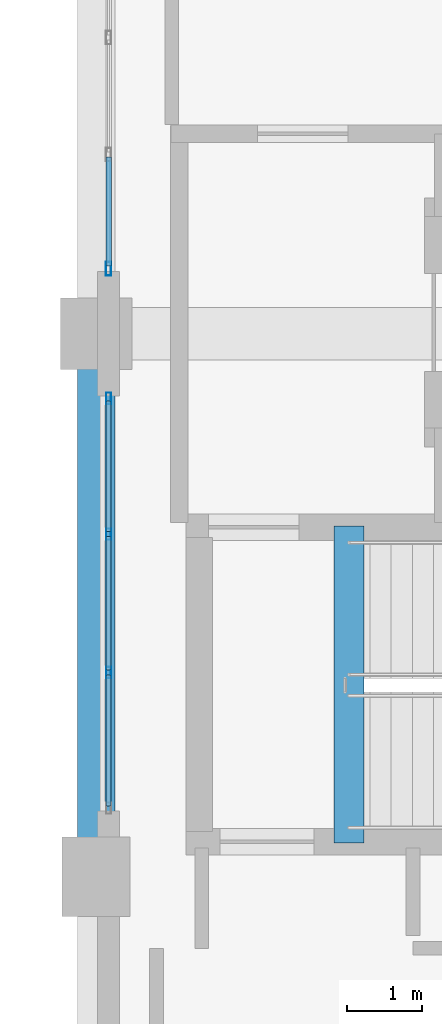
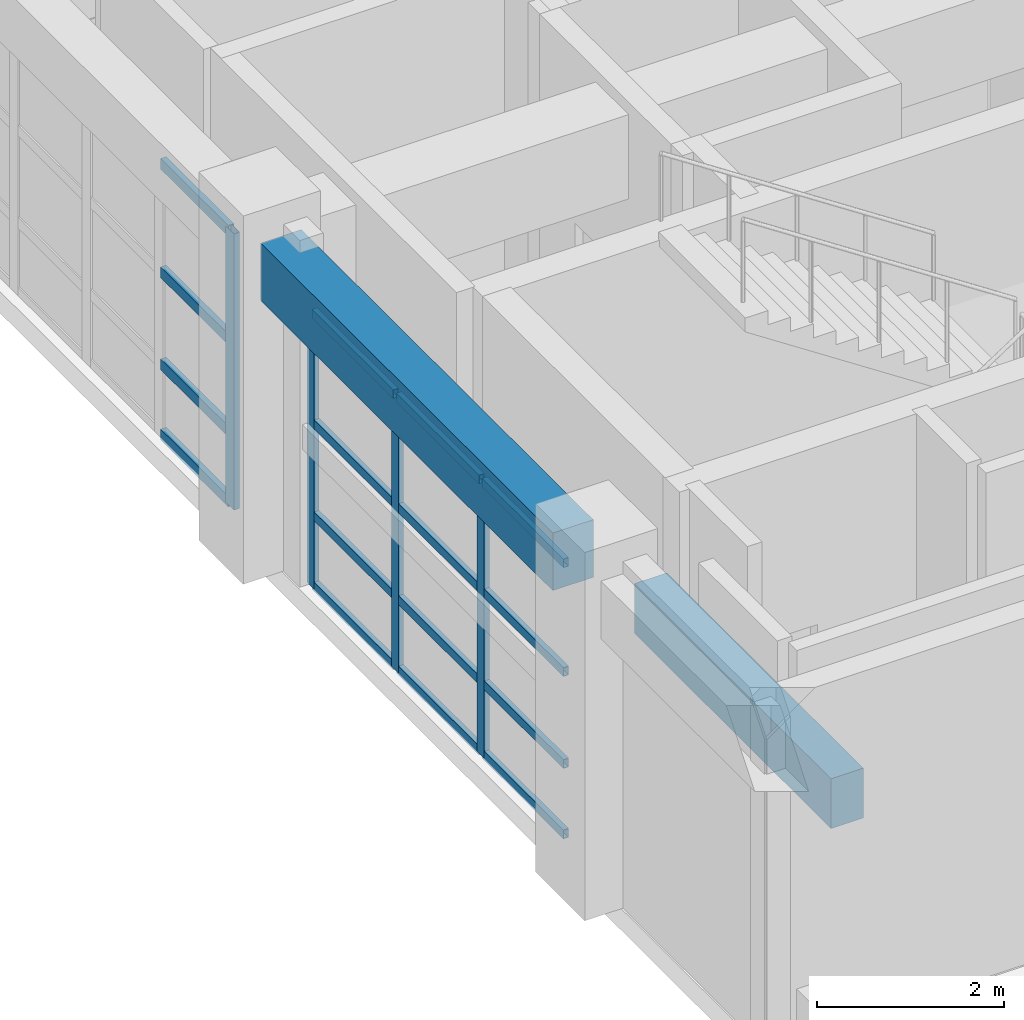
# One storey, part 43 of 123: 20 members, 2 beams, 2 elements without a shape of their own.
"""IFC4 building model written with IfcOpenShell, lengths in metres."""

import ifcopenshell
import ifcopenshell.guid

model = None  # the IFC model being written
_history = None  # IfcOwnerHistory: only IFC2X3 demands one
_inside = {}  # id of a spatial element -> (the spatial element, [elements in it])
_under = {}  # id of a project, library or spatial element -> (it, [spatial elements below it])
_declared = {}  # id of a project -> (the project, [libraries it declares])
_typed = {}  # id of a type object -> (the type object, [elements of that type])
_made_of = {}  # id of a material, layer set ... -> (it, [elements and type objects made of it])


def new_model(schema):
    """Start an empty IFC model of exactly this schema.

    Asked for "IFC4X3", IfcOpenShell would pick the latest addendum, in which some entities
    have other attributes; the version numbers below select the first issue.
    IFC2X3 requires an IfcOwnerHistory on every rooted entity: one is made here for all.
    """
    global model, _history
    if schema == "IFC4X3":
        model = ifcopenshell.file(schema_version=(4, 3, 0, 0))
    else:
        model = ifcopenshell.file(schema=schema)
    _inside.clear()
    _under.clear()
    _declared.clear()
    _typed.clear()
    _made_of.clear()
    _history = None
    if model.schema == "IFC2X3":
        org = make("IfcOrganization", Name="unknown")
        user = make(
            "IfcPersonAndOrganization",
            ThePerson=make("IfcPerson", FamilyName="unknown"),
            TheOrganization=org,
        )
        app = make(
            "IfcApplication",
            ApplicationDeveloper=org,
            Version="unknown",
            ApplicationFullName="unknown",
            ApplicationIdentifier="unknown",
        )
        _history = make(
            "IfcOwnerHistory",
            OwningUser=user,
            OwningApplication=app,
            ChangeAction="ADDED",
            CreationDate=0,
        )
    return model


def make(cls, **values):
    """One entity of the class cls with the attributes given. An attribute that is None is left unset."""
    return model.create_entity(
        cls, **{name: value for name, value in values.items() if value is not None}
    )


def rooted(cls, **values):
    """An entity with a GlobalId (a new one), such as an element, a storey or a relation."""
    return make(cls, GlobalId=ifcopenshell.guid.new(), OwnerHistory=_history, **values)


def si_unit(unit_type, name, prefix=None):
    """IfcSIUnit, for example si_unit("LENGTHUNIT", "METRE", prefix="MILLI")."""
    return make("IfcSIUnit", UnitType=unit_type, Prefix=prefix, Name=name)


def assignment(units):
    """IfcUnitAssignment: the units of a project."""
    return None if units is None else make("IfcUnitAssignment", Units=units)


def point(xyz):
    """IfcCartesianPoint."""
    return None if xyz is None else make("IfcCartesianPoint", Coordinates=xyz)


def direction(xyz):
    """IfcDirection."""
    return None if xyz is None else make("IfcDirection", DirectionRatios=xyz)


def frame(location, z_axis=None, x_axis=None):
    """IfcAxis2Placement3D, a coordinate frame: its origin and axes. An axis left out is left unset."""
    return make(
        "IfcAxis2Placement3D",
        Location=point(location),
        Axis=direction(z_axis),
        RefDirection=direction(x_axis),
    )


def frame_2d(location, x_axis=None):
    """IfcAxis2Placement2D, a coordinate frame in the plane: its origin and x axis."""
    return make(
        "IfcAxis2Placement2D", Location=point(location), RefDirection=direction(x_axis)
    )


def origin():
    """The frame at (0, 0, 0) with its axes left unset."""
    return frame((0.0, 0.0, 0.0))


def origin_2d():
    """The frame at (0, 0) in the plane with its x axis left unset."""
    return frame_2d((0.0, 0.0))


def place(relative_to, where):
    """IfcLocalPlacement: puts the frame where relative to a parent placement (None: the world)."""
    return make(
        "IfcLocalPlacement", PlacementRelTo=relative_to, RelativePlacement=where
    )


def context(
    kind, dimensions, precision=None, world=None, true_north=None, identifier=None
):
    """IfcGeometricRepresentationContext, for example the 3D "Model" context."""
    return make(
        "IfcGeometricRepresentationContext",
        ContextIdentifier=identifier,
        ContextType=kind,
        CoordinateSpaceDimension=dimensions,
        Precision=precision,
        WorldCoordinateSystem=world,
        TrueNorth=true_north,
    )


def subcontext(parent, identifier, kind, view, scale=None):
    """IfcGeometricRepresentationSubContext, for example "Body" below "Model"."""
    return make(
        "IfcGeometricRepresentationSubContext",
        ContextIdentifier=identifier,
        ContextType=kind,
        ParentContext=parent,
        TargetScale=scale,
        TargetView=view,
    )


def project(units=None, contexts=None):
    """IfcProject with its units and contexts."""
    return rooted(
        "IfcProject",
        Name="project",
        RepresentationContexts=contexts,
        UnitsInContext=assignment(units),
    )


def spatial(cls, under=None, at=None, **own):
    """A site, building, storey or space (cls), placed at a placement, below another one or the project."""
    s = rooted(cls, ObjectPlacement=at, **own)
    if under is not None:
        _under.setdefault(under.id(), (under, []))[1].append(s)
    return s


def profile(cls, at=None, kind="AREA", **sizes):
    """A parametric profile (cls). Its sizes go by their IFC names, for example OverallWidth=200.0."""
    return make(cls, ProfileType=kind, Position=at, **sizes)


def rectangle(**sizes):
    """IfcRectangleProfileDef."""
    return profile("IfcRectangleProfileDef", **sizes)


def hollow_rectangle(**sizes):
    """IfcRectangleHollowProfileDef."""
    return profile("IfcRectangleHollowProfileDef", **sizes)


def extrude(swept, where, along, depth):
    """IfcExtrudedAreaSolid: the profile swept, set in the frame where, extruded along a direction by depth."""
    return make(
        "IfcExtrudedAreaSolid",
        SweptArea=swept,
        Position=where,
        ExtrudedDirection=direction(along),
        Depth=depth,
    )


def shape(context_of_items, identifier, shape_type, items):
    """IfcShapeRepresentation: the items that make up one representation, for example the "Body"."""
    return make(
        "IfcShapeRepresentation",
        ContextOfItems=context_of_items,
        RepresentationIdentifier=identifier,
        RepresentationType=shape_type,
        Items=items,
    )


def material(Name=None, Category=None):
    """IfcMaterial."""
    return make("IfcMaterial", Name=Name, Category=Category)


def layer(
    of_material, thickness, ventilated=None, Name=None, Category=None, Priority=None
):
    """IfcMaterialLayer: one layer of a wall or slab, of a material (None: an air gap)."""
    return make(
        "IfcMaterialLayer",
        Material=of_material,
        LayerThickness=thickness,
        IsVentilated=ventilated,
        Name=Name,
        Category=Category,
        Priority=Priority,
    )


def layer_set(layers, Name=None):
    """IfcMaterialLayerSet."""
    return make("IfcMaterialLayerSet", MaterialLayers=layers, LayerSetName=Name)


def material_profile(
    of_material, cross_section, Name=None, Category=None, Priority=None
):
    """IfcMaterialProfile: a cross section and its material."""
    return make(
        "IfcMaterialProfile",
        Name=Name,
        Material=of_material,
        Profile=cross_section,
        Priority=Priority,
        Category=Category,
    )


def profile_set(profiles, Name=None, composite=None):
    """IfcMaterialProfileSet."""
    return make(
        "IfcMaterialProfileSet",
        Name=Name,
        MaterialProfiles=profiles,
        CompositeProfile=composite,
    )


def made_of(thing, what):
    """Note that an element or type object is made of a material, layer set ...; save() writes the relation."""
    if what is not None:
        _made_of.setdefault(what.id(), (what, []))[1].append(thing)
    return thing


def type_object(cls, material=None, **own):
    """A type object (cls), such as IfcWallType, which elements share."""
    return made_of(rooted(cls, **own), material)


def element(
    cls,
    number,
    at=None,
    inside=None,
    cuts=None,
    type_object=None,
    material=None,
    context=None,
    identifier="Body",
    shape_type=None,
    held_by="IfcProductDefinitionShape",
    body=None,
    shapes=None,
    **own,
):
    """One element of the class cls, such as IfcWall. Its Tag is "e" and its number.

    at: its placement. inside: the storey or other place that contains it. cuts: it is an
    opening in that element (IfcRelVoidsElement). A single representation is given by context,
    identifier, shape_type and body (its items); several are given by shapes. held_by: the class
    of the entity that holds the representations. save() writes the other relations.
    """
    e = rooted(cls, Tag="e%d" % number, ObjectPlacement=at, **own)
    if body is not None:
        shapes = [shape(context, identifier, shape_type, body)]
    if shapes is not None:
        e.Representation = make(held_by, Representations=shapes)
    if inside is not None:
        _inside.setdefault(inside.id(), (inside, []))[1].append(e)
    if cuts is not None:
        rooted(
            "IfcRelVoidsElement", RelatingBuildingElement=cuts, RelatedOpeningElement=e
        )
    if type_object is not None:
        _typed.setdefault(type_object.id(), (type_object, []))[1].append(e)
    return made_of(e, material)


def aggregate(whole, parts):
    """IfcRelAggregates: a whole, such as a stair, and the parts it consists of."""
    return rooted("IfcRelAggregates", RelatingObject=whole, RelatedObjects=parts)


def save(model, path):
    """Write the relations noted so far, then the file.

    IfcRelAggregates (storeys below a building ...), IfcRelContainedInSpatialStructure (elements
    in a storey), IfcRelDefinesByType, IfcRelAssociatesMaterial and IfcRelDeclares: one each for
    every whole, place, type object, material and project.
    """
    for whole, parts in _under.values():
        aggregate(whole, parts)
    for where, things in _inside.values():
        rooted(
            "IfcRelContainedInSpatialStructure",
            RelatedElements=things,
            RelatingStructure=where,
        )
    for kind, things in _typed.values():
        rooted("IfcRelDefinesByType", RelatedObjects=things, RelatingType=kind)
    for what, things in _made_of.values():
        rooted("IfcRelAssociatesMaterial", RelatedObjects=things, RelatingMaterial=what)
    for by, libraries in _declared.values():
        rooted("IfcRelDeclares", RelatingContext=by, RelatedDefinitions=libraries)
    model.write(path)


model = new_model("IFC4")

# Units and contexts
model_context = context("Model", 3, precision=1e-05, world=origin(), true_north=direction((0.0, 1.0)))
body_context = subcontext(model_context, "Body", "Model", "MODEL_VIEW")
ifc_project = project(units=[si_unit("LENGTHUNIT", "METRE"), si_unit("AREAUNIT", "SQUARE_METRE"), si_unit("VOLUMEUNIT", "CUBIC_METRE"), si_unit("PLANEANGLEUNIT", "RADIAN"), si_unit("MASSUNIT", "GRAM", prefix="KILO")], contexts=[model_context])

# Site, building, storey
site_placement = place(None, origin())
site = spatial("IfcSite", under=ifc_project, at=site_placement, CompositionType="ELEMENT")
building_placement = place(site_placement, origin())
building = spatial("IfcBuilding", under=site, at=building_placement, Name="Quendrovan Civic Courthouse", CompositionType="ELEMENT")
storey_placement = place(building_placement, frame((0.0, 0.0, 5.39990234375)))
storey = spatial("IfcBuildingStorey", under=building, at=storey_placement, Name="L02", CompositionType="ELEMENT", Elevation=5.39990234375)

# Beams
ifc_material_1 = material(Name="Concrete C40/50", Category="concrete")
ifc_material_profile_1 = material_profile(ifc_material_1, rectangle(XDim=0.39990234375, YDim=0.64990234375, at=origin_2d()), Name="RC-BM-400x650")
ifc_profile_set_1 = profile_set([ifc_material_profile_1], Name="Concrete C40/50")
beam_type_1 = type_object("IfcBeamType", Name="BM-RC650", PredefinedType="JOIST", material=ifc_profile_set_1)
beam_1_placement = place(storey_placement, frame((36.949951171875, 95.25, -0.324951171875), z_axis=(0.0, 1.0, 0.0), x_axis=(-1.0, 0.0, 0.0)))
element("IfcBeam", 1, at=beam_1_placement, inside=storey, type_object=beam_type_1, Name="L02 Stair ST1 Landing Trimmer Beam", PredefinedType="JOIST", context=body_context, shape_type="SweptSolid", body=[
    extrude(rectangle(XDim=0.39990234375, YDim=0.64990234375, at=origin_2d()), origin(), (0.0, 0.0, 1.0), 4.199951171875),
])
ifc_material_profile_2 = material_profile(ifc_material_1, rectangle(XDim=0.5, YDim=0.75, at=origin_2d()), Name="RC-BM-500x750")
ifc_profile_set_2 = profile_set([ifc_material_profile_2], Name="Concrete C40/50")
beam_type_2 = type_object("IfcBeamType", Name="BM-RC750", PredefinedType="SPANDREL", material=ifc_profile_set_2)
beam_2_placement = place(storey_placement, frame((33.60009765625, 95.304931640625, 3.985107421875), z_axis=(0.0, 1.0, 0.0), x_axis=(-1.0, 0.0, 0.0)))
element("IfcBeam", 2, at=beam_2_placement, inside=storey, type_object=beam_type_2, Name="L02 Girder Y0641", PredefinedType="SPANDREL", context=body_context, shape_type="SweptSolid", body=[
    extrude(rectangle(XDim=0.5, YDim=0.75, at=origin_2d()), origin(), (0.0, 0.0, 1.0), 6.239990234375),
])

# Curtain wall, member
ifc_material_2 = material(Name="Bronze anodised aluminium and low-E glass", Category="aluminium")
ifc_layer_1 = layer(ifc_material_2, 0.179931640625, Name="Bronze anodised aluminium and low-E glass")
ifc_layer_set_1 = layer_set([ifc_layer_1], Name="Bronze anodised aluminium and low-E glass")
curtain_wall_type_1 = type_object("IfcCurtainWallType", Name="CW-U62x36", PredefinedType="USERDEFINED", material=ifc_layer_set_1)
curtain_wall_1_placement = place(storey_placement, origin())
curtain_wall_1 = element("IfcCurtainWall", 3, at=curtain_wall_1_placement, inside=storey, type_object=curtain_wall_type_1, Name="L02 Unitised Hurricane Curtain Wall CW-080", ObjectType="UNITISED CURTAIN WALL", PredefinedType="USERDEFINED")
ifc_material_3 = material(Name="Bronze anodised aluminium", Category="aluminium")
ifc_material_profile_3 = material_profile(ifc_material_3, hollow_rectangle(XDim=0.070068359375, YDim=0.179931640625, WallThickness=0.00390625, at=origin_2d()), Name="CW-MULL-70x180")
ifc_profile_set_3 = profile_set([ifc_material_profile_3], Name="Bronze anodised aluminium")
member_type_1 = type_object("IfcMemberType", Name="CW-MULL-A", PredefinedType="MULLION", material=ifc_profile_set_3)
member_1_placement = place(storey_placement, frame((33.764892578125, 102.860107421875, 0.0), z_axis=(0.0, 0.0, 1.0), x_axis=(-1.0, 0.0, 0.0)))
member_1 = element("IfcMember", 4, at=member_1_placement, type_object=member_type_1, Name="CW-080 mullion 1", PredefinedType="MULLION", context=body_context, shape_type="SweptSolid", body=[
    extrude(hollow_rectangle(XDim=0.070068359375, YDim=0.179931640625, WallThickness=0.00390625, at=origin_2d()), origin(), (0.0, 0.0, 1.0), 3.60009765625),
])

# Curtain wall, members
ifc_layer_2 = layer(ifc_material_2, 0.179931640625, Name="Bronze anodised aluminium and low-E glass")
ifc_layer_set_2 = layer_set([ifc_layer_2], Name="Bronze anodised aluminium and low-E glass")
curtain_wall_type_2 = type_object("IfcCurtainWallType", Name="CW-U55x36", PredefinedType="USERDEFINED", material=ifc_layer_set_2)
curtain_wall_2_placement = place(storey_placement, origin())
curtain_wall_2 = element("IfcCurtainWall", 5, at=curtain_wall_2_placement, inside=storey, type_object=curtain_wall_type_2, Name="L02 Unitised Hurricane Curtain Wall CW-079", ObjectType="UNITISED CURTAIN WALL", PredefinedType="USERDEFINED")
ifc_material_profile_4 = material_profile(ifc_material_3, hollow_rectangle(XDim=0.06494140625, YDim=0.14990234375, WallThickness=0.00390625, at=origin_2d()), Name="CW-MULL-65x150")
ifc_profile_set_4 = profile_set([ifc_material_profile_4], Name="Bronze anodised aluminium")
member_type_2 = type_object("IfcMemberType", Name="CW-MULL-B", PredefinedType="MULLION", material=ifc_profile_set_4)
member_2_placement = place(storey_placement, frame((33.764892578125, 97.50830078125, 0.0), z_axis=(0.0, 0.0, 1.0), x_axis=(-1.0, 0.0, 0.0)))
member_2 = element("IfcMember", 6, at=member_2_placement, type_object=member_type_2, Name="CW-079 mullion 2", PredefinedType="MULLION", context=body_context, shape_type="SweptSolid", body=[
    extrude(hollow_rectangle(XDim=0.06494140625, YDim=0.14990234375, WallThickness=0.00390625, at=origin_2d()), origin(), (0.0, 0.0, 1.0), 3.60009765625),
])
member_3_placement = place(storey_placement, frame((33.764892578125, 99.341552734375, 0.0), z_axis=(0.0, 0.0, 1.0), x_axis=(-1.0, 0.0, 0.0)))
member_3 = element("IfcMember", 7, at=member_3_placement, type_object=member_type_2, Name="CW-079 mullion 3", PredefinedType="MULLION", context=body_context, shape_type="SweptSolid", body=[
    extrude(hollow_rectangle(XDim=0.06494140625, YDim=0.14990234375, WallThickness=0.00390625, at=origin_2d()), origin(), (0.0, 0.0, 1.0), 3.60009765625),
])
member_4_placement = place(storey_placement, frame((33.764892578125, 101.142578125, 0.0), z_axis=(0.0, 0.0, 1.0), x_axis=(-1.0, 0.0, 0.0)))
member_4 = element("IfcMember", 8, at=member_4_placement, type_object=member_type_2, Name="CW-079 mullion 4", PredefinedType="MULLION", context=body_context, shape_type="SweptSolid", body=[
    extrude(hollow_rectangle(XDim=0.06494140625, YDim=0.14990234375, WallThickness=0.00390625, at=origin_2d()), origin(), (0.0, 0.0, 1.0), 3.60009765625),
])

# Member
ifc_material_profile_5 = material_profile(ifc_material_3, hollow_rectangle(XDim=0.070068359375, YDim=0.139892578125, WallThickness=0.00390625, at=origin_2d()), Name="CW-TRAN-70x140")
ifc_profile_set_5 = profile_set([ifc_material_profile_5], Name="Bronze anodised aluminium")
member_type_3 = type_object("IfcMemberType", Name="CW-TRAN-A", PredefinedType="USERDEFINED", material=ifc_profile_set_5)
member_5_placement = place(storey_placement, frame((33.764892578125, 102.89501953125, 0.03515625), z_axis=(0.0, 1.0, 0.0), x_axis=(-1.0, 0.0, 0.0)))
member_5 = element("IfcMember", 9, at=member_5_placement, type_object=member_type_3, Name="CW-080 transom 1.1", ObjectType="TRANSOM", PredefinedType="USERDEFINED", context=body_context, shape_type="SweptSolid", body=[
    extrude(hollow_rectangle(XDim=0.070068359375, YDim=0.139892578125, WallThickness=0.00390625, at=origin_2d()), origin(), (0.0, 0.0, 1.0), 1.445068359375),
])

member_6_placement = place(storey_placement, frame((33.764892578125, 102.89501953125, 0.9501953125), z_axis=(0.0, 1.0, 0.0), x_axis=(-1.0, 0.0, 0.0)))
member_6 = element("IfcMember", 10, at=member_6_placement, type_object=member_type_3, Name="CW-080 transom 1.2", ObjectType="TRANSOM", PredefinedType="USERDEFINED", context=body_context, shape_type="SweptSolid", body=[
    extrude(hollow_rectangle(XDim=0.070068359375, YDim=0.139892578125, WallThickness=0.00390625, at=origin_2d()), origin(), (0.0, 0.0, 1.0), 1.445068359375),
])

member_7_placement = place(storey_placement, frame((33.764892578125, 102.89501953125, 2.150146484375), z_axis=(0.0, 1.0, 0.0), x_axis=(-1.0, 0.0, 0.0)))
member_7 = element("IfcMember", 11, at=member_7_placement, type_object=member_type_3, Name="CW-080 transom 1.3", ObjectType="TRANSOM", PredefinedType="USERDEFINED", context=body_context, shape_type="SweptSolid", body=[
    extrude(hollow_rectangle(XDim=0.070068359375, YDim=0.139892578125, WallThickness=0.00390625, at=origin_2d()), origin(), (0.0, 0.0, 1.0), 1.445068359375),
])

member_8_placement = place(storey_placement, frame((33.764892578125, 102.89501953125, 3.565185546875), z_axis=(0.0, 1.0, 0.0), x_axis=(-1.0, 0.0, 0.0)))
member_8 = element("IfcMember", 12, at=member_8_placement, type_object=member_type_3, Name="CW-080 transom 1.4", ObjectType="TRANSOM", PredefinedType="USERDEFINED", context=body_context, shape_type="SweptSolid", body=[
    extrude(hollow_rectangle(XDim=0.070068359375, YDim=0.139892578125, WallThickness=0.00390625, at=origin_2d()), origin(), (0.0, 0.0, 1.0), 1.445068359375),
])

aggregate(curtain_wall_1, [member_1, member_5, member_6, member_7, member_8])

ifc_material_profile_6 = material_profile(ifc_material_3, hollow_rectangle(XDim=0.06494140625, YDim=0.114990234375, WallThickness=0.00390625, at=origin_2d()), Name="CW-TRAN-65x115")
ifc_profile_set_6 = profile_set([ifc_material_profile_6], Name="Bronze anodised aluminium")
member_type_4 = type_object("IfcMemberType", Name="CW-TRAN-B", PredefinedType="USERDEFINED", material=ifc_profile_set_6)
member_9_placement = place(storey_placement, frame((33.764892578125, 95.739990234375, 0.03271484375), z_axis=(0.0, 1.0, 0.0), x_axis=(-1.0, 0.0, 0.0)))
member_9 = element("IfcMember", 13, at=member_9_placement, type_object=member_type_4, Name="CW-079 transom 1.1", ObjectType="TRANSOM", PredefinedType="USERDEFINED", context=body_context, shape_type="SweptSolid", body=[
    extrude(hollow_rectangle(XDim=0.06494140625, YDim=0.114990234375, WallThickness=0.00390625, at=origin_2d()), origin(), (0.0, 0.0, 1.0), 1.73583984375),
])

member_10_placement = place(storey_placement, frame((33.764892578125, 95.739990234375, 0.9501953125), z_axis=(0.0, 1.0, 0.0), x_axis=(-1.0, 0.0, 0.0)))
member_10 = element("IfcMember", 14, at=member_10_placement, type_object=member_type_4, Name="CW-079 transom 1.2", ObjectType="TRANSOM", PredefinedType="USERDEFINED", context=body_context, shape_type="SweptSolid", body=[
    extrude(hollow_rectangle(XDim=0.06494140625, YDim=0.114990234375, WallThickness=0.00390625, at=origin_2d()), origin(), (0.0, 0.0, 1.0), 1.73583984375),
])

member_11_placement = place(storey_placement, frame((33.764892578125, 95.739990234375, 2.150146484375), z_axis=(0.0, 1.0, 0.0), x_axis=(-1.0, 0.0, 0.0)))
member_11 = element("IfcMember", 15, at=member_11_placement, type_object=member_type_4, Name="CW-079 transom 1.3", ObjectType="TRANSOM", PredefinedType="USERDEFINED", context=body_context, shape_type="SweptSolid", body=[
    extrude(hollow_rectangle(XDim=0.06494140625, YDim=0.114990234375, WallThickness=0.00390625, at=origin_2d()), origin(), (0.0, 0.0, 1.0), 1.73583984375),
])

member_12_placement = place(storey_placement, frame((33.764892578125, 95.739990234375, 3.567626953125), z_axis=(0.0, 1.0, 0.0), x_axis=(-1.0, 0.0, 0.0)))
member_12 = element("IfcMember", 16, at=member_12_placement, type_object=member_type_4, Name="CW-079 transom 1.4", ObjectType="TRANSOM", PredefinedType="USERDEFINED", context=body_context, shape_type="SweptSolid", body=[
    extrude(hollow_rectangle(XDim=0.06494140625, YDim=0.114990234375, WallThickness=0.00390625, at=origin_2d()), origin(), (0.0, 0.0, 1.0), 1.73583984375),
])

member_13_placement = place(storey_placement, frame((33.764892578125, 97.540771484375, 0.03271484375), z_axis=(0.0, 1.0, 0.0), x_axis=(-1.0, 0.0, 0.0)))
member_13 = element("IfcMember", 17, at=member_13_placement, type_object=member_type_4, Name="CW-079 transom 2.1", ObjectType="TRANSOM", PredefinedType="USERDEFINED", context=body_context, shape_type="SweptSolid", body=[
    extrude(hollow_rectangle(XDim=0.06494140625, YDim=0.114990234375, WallThickness=0.00390625, at=origin_2d()), origin(), (0.0, 0.0, 1.0), 1.768310546875),
])

member_14_placement = place(storey_placement, frame((33.764892578125, 97.540771484375, 0.9501953125), z_axis=(0.0, 1.0, 0.0), x_axis=(-1.0, 0.0, 0.0)))
member_14 = element("IfcMember", 18, at=member_14_placement, type_object=member_type_4, Name="CW-079 transom 2.2", ObjectType="TRANSOM", PredefinedType="USERDEFINED", context=body_context, shape_type="SweptSolid", body=[
    extrude(hollow_rectangle(XDim=0.06494140625, YDim=0.114990234375, WallThickness=0.00390625, at=origin_2d()), origin(), (0.0, 0.0, 1.0), 1.768310546875),
])

member_15_placement = place(storey_placement, frame((33.764892578125, 97.540771484375, 2.150146484375), z_axis=(0.0, 1.0, 0.0), x_axis=(-1.0, 0.0, 0.0)))
member_15 = element("IfcMember", 19, at=member_15_placement, type_object=member_type_4, Name="CW-079 transom 2.3", ObjectType="TRANSOM", PredefinedType="USERDEFINED", context=body_context, shape_type="SweptSolid", body=[
    extrude(hollow_rectangle(XDim=0.06494140625, YDim=0.114990234375, WallThickness=0.00390625, at=origin_2d()), origin(), (0.0, 0.0, 1.0), 1.768310546875),
])

member_16_placement = place(storey_placement, frame((33.764892578125, 97.540771484375, 3.567626953125), z_axis=(0.0, 1.0, 0.0), x_axis=(-1.0, 0.0, 0.0)))
member_16 = element("IfcMember", 20, at=member_16_placement, type_object=member_type_4, Name="CW-079 transom 2.4", ObjectType="TRANSOM", PredefinedType="USERDEFINED", context=body_context, shape_type="SweptSolid", body=[
    extrude(hollow_rectangle(XDim=0.06494140625, YDim=0.114990234375, WallThickness=0.00390625, at=origin_2d()), origin(), (0.0, 0.0, 1.0), 1.768310546875),
])

member_17_placement = place(storey_placement, frame((33.764892578125, 99.374267578125, 0.03271484375), z_axis=(0.0, 1.0, 0.0), x_axis=(-1.0, 0.0, 0.0)))
member_17 = element("IfcMember", 21, at=member_17_placement, type_object=member_type_4, Name="CW-079 transom 3.1", ObjectType="TRANSOM", PredefinedType="USERDEFINED", context=body_context, shape_type="SweptSolid", body=[
    extrude(hollow_rectangle(XDim=0.06494140625, YDim=0.114990234375, WallThickness=0.00390625, at=origin_2d()), origin(), (0.0, 0.0, 1.0), 1.73583984375),
])

member_18_placement = place(storey_placement, frame((33.764892578125, 99.374267578125, 0.9501953125), z_axis=(0.0, 1.0, 0.0), x_axis=(-1.0, 0.0, 0.0)))
member_18 = element("IfcMember", 22, at=member_18_placement, type_object=member_type_4, Name="CW-079 transom 3.2", ObjectType="TRANSOM", PredefinedType="USERDEFINED", context=body_context, shape_type="SweptSolid", body=[
    extrude(hollow_rectangle(XDim=0.06494140625, YDim=0.114990234375, WallThickness=0.00390625, at=origin_2d()), origin(), (0.0, 0.0, 1.0), 1.73583984375),
])

member_19_placement = place(storey_placement, frame((33.764892578125, 99.374267578125, 2.150146484375), z_axis=(0.0, 1.0, 0.0), x_axis=(-1.0, 0.0, 0.0)))
member_19 = element("IfcMember", 23, at=member_19_placement, type_object=member_type_4, Name="CW-079 transom 3.3", ObjectType="TRANSOM", PredefinedType="USERDEFINED", context=body_context, shape_type="SweptSolid", body=[
    extrude(hollow_rectangle(XDim=0.06494140625, YDim=0.114990234375, WallThickness=0.00390625, at=origin_2d()), origin(), (0.0, 0.0, 1.0), 1.73583984375),
])

member_20_placement = place(storey_placement, frame((33.764892578125, 99.374267578125, 3.567626953125), z_axis=(0.0, 1.0, 0.0), x_axis=(-1.0, 0.0, 0.0)))
member_20 = element("IfcMember", 24, at=member_20_placement, type_object=member_type_4, Name="CW-079 transom 3.4", ObjectType="TRANSOM", PredefinedType="USERDEFINED", context=body_context, shape_type="SweptSolid", body=[
    extrude(hollow_rectangle(XDim=0.06494140625, YDim=0.114990234375, WallThickness=0.00390625, at=origin_2d()), origin(), (0.0, 0.0, 1.0), 1.73583984375),
])

aggregate(curtain_wall_2, [member_2, member_3, member_4, member_9, member_10, member_11, member_12, member_13, member_14, member_15, member_16, member_17, member_18, member_19, member_20])

save(model, "model.ifc")
